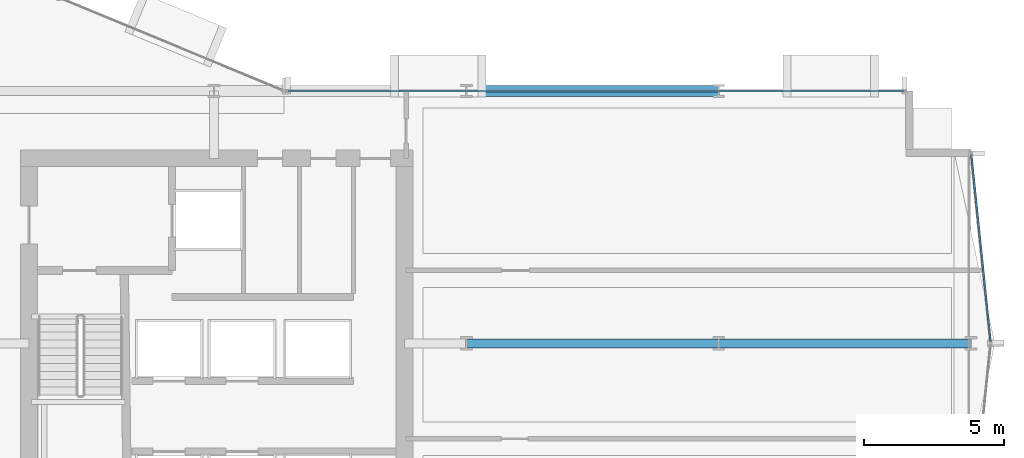
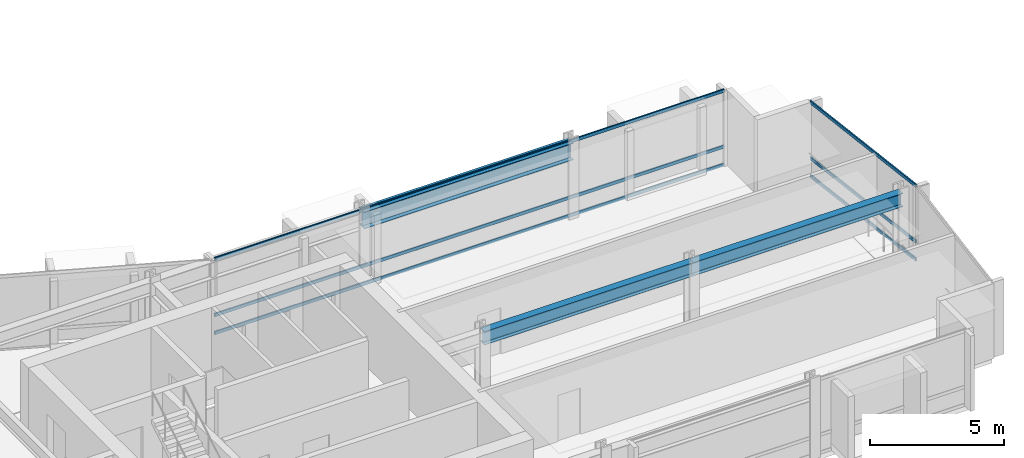
# One storey, part 16 of 34: 6 members, 3 beams, 2 elements without a shape of their own.
"""IFC4 building model written with IfcOpenShell, lengths in metres."""

from ifc_helpers import new_model, si_unit, direction, frame, origin, origin_2d, place, context, subcontext, project, spatial, hollow_rectangle, i_section, extrude, material, layer, layer_set, material_profile, profile_set, type_object, element, aggregate, save


model = new_model("IFC4")

# Units and contexts
model_context = context("Model", 3, precision=1e-05, world=origin(), true_north=direction((0.0, 1.0)))
body_context = subcontext(model_context, "Body", "Model", "MODEL_VIEW")
ifc_project = project(units=[si_unit("LENGTHUNIT", "METRE"), si_unit("AREAUNIT", "SQUARE_METRE"), si_unit("VOLUMEUNIT", "CUBIC_METRE"), si_unit("PLANEANGLEUNIT", "RADIAN"), si_unit("MASSUNIT", "GRAM", prefix="KILO")], contexts=[model_context])

# Site, building, storey
site_placement = place(None, origin())
site = spatial("IfcSite", under=ifc_project, at=site_placement, CompositionType="ELEMENT")
building_placement = place(site_placement, origin())
building = spatial("IfcBuilding", under=site, at=building_placement, Name="Solvaryn Broadcast Tower", CompositionType="ELEMENT")
storey_placement = place(building_placement, frame((0.0, 0.0, 76.699951171875)))
storey = spatial("IfcBuildingStorey", under=building, at=storey_placement, Name="L18", CompositionType="ELEMENT", Elevation=76.699951171875)

# Beams
ifc_material_1 = material(Name="Steel ASTM A992 Grade 50", Category="steel")
ifc_material_profile_1 = material_profile(ifc_material_1, i_section(OverallWidth=0.323974609375, OverallDepth=0.611083984375, WebThickness=0.0126953125, FlangeThickness=0.01904296875, FilletRadius=0.014892578125, at=origin_2d()))
ifc_profile_set_1 = profile_set([ifc_material_profile_1], Name="Steel ASTM A992 Grade 50")
beam_type_1 = type_object("IfcBeamType", Name="BM-B1-W24X104", PredefinedType="BEAM", material=ifc_profile_set_1)
for number, where, z_axis, x_axis, name in (
    (1, (45.0, 18.0, 3.114501953125), (1.0, 0.0, 0.0), (0.0, 1.0, 0.0), "L18 Primary Beam X (45-54 @ Y=18)"),
    (2, (54.0, 18.0, 3.114501953125), (1.0, 0.0, 0.0), (0.0, 1.0, 0.0), "L18 Primary Beam X (54-63 @ Y=18)"),
):
    element("IfcBeam", number, at=place(storey_placement, frame(where, z_axis=z_axis, x_axis=x_axis)), inside=storey, type_object=beam_type_1, Name=name, PredefinedType="BEAM", context=body_context, shape_type="SweptSolid", body=[
        extrude(i_section(OverallWidth=0.323974609375, OverallDepth=0.611083984375, WebThickness=0.0126953125, FlangeThickness=0.01904296875, FilletRadius=0.014892578125, at=origin_2d()), origin(), (0.0, 0.0, 1.0), 9.0),
    ])
ifc_material_2 = material(Name="Steel ASTM A992 Grade 50", Category="steel")
ifc_material_profile_2 = material_profile(ifc_material_2, i_section(OverallWidth=0.381103515625, OverallDepth=0.77294921875, WebThickness=0.0166015625, FlangeThickness=0.027099609375, FilletRadius=0.01806640625, at=origin_2d()))
ifc_profile_set_2 = profile_set([ifc_material_profile_2], Name="Steel ASTM A992 Grade 50")
beam_type_2 = type_object("IfcBeamType", Name="BM-SP1-W30X173", PredefinedType="USERDEFINED", material=ifc_profile_set_2)
beam_placement = place(storey_placement, frame((45.0, 27.0, 3.033447265625), z_axis=(1.0, 0.0, 0.0), x_axis=(0.0, 1.0, 0.0)))
element("IfcBeam", 3, at=beam_placement, inside=storey, type_object=beam_type_2, Name="L18 Spandrel Beam X (45-54 @ Y=27)", ObjectType="SPANDREL", PredefinedType="USERDEFINED", context=body_context, shape_type="SweptSolid", body=[
    extrude(i_section(OverallWidth=0.381103515625, OverallDepth=0.77294921875, WebThickness=0.0166015625, FlangeThickness=0.027099609375, FilletRadius=0.01806640625, at=origin_2d()), origin(), (0.0, 0.0, 1.0), 9.0),
])

# Curtain wall, members
ifc_material_3 = material(Name="Aluminium and Terracotta Unitised Curtain Wall", Category="masonry")
ifc_layer = layer(ifc_material_3, 0.199951171875)
ifc_layer_set = layer_set([ifc_layer], Name="CW-SYS2-LOWMID")
curtain_wall_type = type_object("IfcCurtainWallType", Name="CW-SYS2-LOWMID", PredefinedType="NOTDEFINED", material=ifc_layer_set)
curtain_wall_1_placement = place(storey_placement, origin())
curtain_wall_1 = element("IfcCurtainWall", 4, at=curtain_wall_1_placement, inside=storey, type_object=curtain_wall_type, Name="L18 Curtain Wall ET1", PredefinedType="NOTDEFINED")
ifc_material_4 = material(Name="Anodised Aluminium 6063-T6", Category="aluminium")
ifc_material_profile_3 = material_profile(ifc_material_4, hollow_rectangle(XDim=0.06494140625, YDim=0.14990234375, WallThickness=0.00390625, InnerFilletRadius=0.00390625, OuterFilletRadius=0.008056640625, at=origin_2d()))
ifc_profile_set_3 = profile_set([ifc_material_profile_3], Name="Anodised Aluminium 6063-T6")
member_type = type_object("IfcMemberType", Name="CW-TRN-150", PredefinedType="USERDEFINED", material=ifc_profile_set_3)
member_1_placement = place(storey_placement, frame((63.006103515625, 24.740234375, 0.030029296875), z_axis=(0.102404277363, -0.994742863245, 0.0), x_axis=(0.994742863245, 0.102404277363, 0.0)))
member_1 = element("IfcMember", 5, at=member_1_placement, type_object=member_type, Name="CWS2 transom 1.1", ObjectType="TRANSOM", PredefinedType="USERDEFINED", context=body_context, shape_type="SweptSolid", body=[
    extrude(hollow_rectangle(XDim=0.06494140625, YDim=0.14990234375, WallThickness=0.00390625, InnerFilletRadius=0.00390625, OuterFilletRadius=0.008056640625, at=origin_2d()), origin(), (0.0, 0.0, 1.0), 6.716064453125),
])
member_2_placement = place(storey_placement, frame((63.006103515625, 24.740234375, 0.85009765625), z_axis=(0.102404277363, -0.994742863245, 0.0), x_axis=(0.994742863245, 0.102404277363, 0.0)))
member_2 = element("IfcMember", 6, at=member_2_placement, type_object=member_type, Name="CWS2 transom 1.2", ObjectType="TRANSOM", PredefinedType="USERDEFINED", context=body_context, shape_type="SweptSolid", body=[
    extrude(hollow_rectangle(XDim=0.06494140625, YDim=0.14990234375, WallThickness=0.00390625, InnerFilletRadius=0.00390625, OuterFilletRadius=0.008056640625, at=origin_2d()), origin(), (0.0, 0.0, 1.0), 6.716064453125),
])
member_3_placement = place(storey_placement, frame((63.006103515625, 24.740234375, 3.39013671875), z_axis=(0.102404277363, -0.994742863245, 0.0), x_axis=(0.994742863245, 0.102404277363, 0.0)))
member_3 = element("IfcMember", 7, at=member_3_placement, type_object=member_type, Name="CWS2 transom 1.3", ObjectType="TRANSOM", PredefinedType="USERDEFINED", context=body_context, shape_type="SweptSolid", body=[
    extrude(hollow_rectangle(XDim=0.06494140625, YDim=0.14990234375, WallThickness=0.00390625, InnerFilletRadius=0.00390625, OuterFilletRadius=0.008056640625, at=origin_2d()), origin(), (0.0, 0.0, 1.0), 6.716064453125),
])
aggregate(curtain_wall_1, [member_1, member_2, member_3])

curtain_wall_2_placement = place(storey_placement, origin())
curtain_wall_2 = element("IfcCurtainWall", 8, at=curtain_wall_2_placement, inside=storey, type_object=curtain_wall_type, Name="L18 Curtain Wall IH", PredefinedType="NOTDEFINED")
member_4_placement = place(storey_placement, frame((38.659912109375, 27.0, 0.030029296875), z_axis=(1.0, 0.0, 0.0), x_axis=(0.0, 1.0, 0.0)))
member_4 = element("IfcMember", 9, at=member_4_placement, type_object=member_type, Name="CWS2 transom 1.1", ObjectType="TRANSOM", PredefinedType="USERDEFINED", context=body_context, shape_type="SweptSolid", body=[
    extrude(hollow_rectangle(XDim=0.06494140625, YDim=0.14990234375, WallThickness=0.00390625, InnerFilletRadius=0.00390625, OuterFilletRadius=0.008056640625, at=origin_2d()), origin(), (0.0, 0.0, 1.0), 21.93017578125),
])
member_5_placement = place(storey_placement, frame((38.659912109375, 27.0, 0.85009765625), z_axis=(1.0, 0.0, 0.0), x_axis=(0.0, 1.0, 0.0)))
member_5 = element("IfcMember", 10, at=member_5_placement, type_object=member_type, Name="CWS2 transom 1.2", ObjectType="TRANSOM", PredefinedType="USERDEFINED", context=body_context, shape_type="SweptSolid", body=[
    extrude(hollow_rectangle(XDim=0.06494140625, YDim=0.14990234375, WallThickness=0.00390625, InnerFilletRadius=0.00390625, OuterFilletRadius=0.008056640625, at=origin_2d()), origin(), (0.0, 0.0, 1.0), 21.93017578125),
])
member_6_placement = place(storey_placement, frame((38.659912109375, 27.0, 3.39013671875), z_axis=(1.0, 0.0, 0.0), x_axis=(0.0, 1.0, 0.0)))
member_6 = element("IfcMember", 11, at=member_6_placement, type_object=member_type, Name="CWS2 transom 1.3", ObjectType="TRANSOM", PredefinedType="USERDEFINED", context=body_context, shape_type="SweptSolid", body=[
    extrude(hollow_rectangle(XDim=0.06494140625, YDim=0.14990234375, WallThickness=0.00390625, InnerFilletRadius=0.00390625, OuterFilletRadius=0.008056640625, at=origin_2d()), origin(), (0.0, 0.0, 1.0), 21.93017578125),
])
aggregate(curtain_wall_2, [member_4, member_5, member_6])

save(model, "model.ifc")
